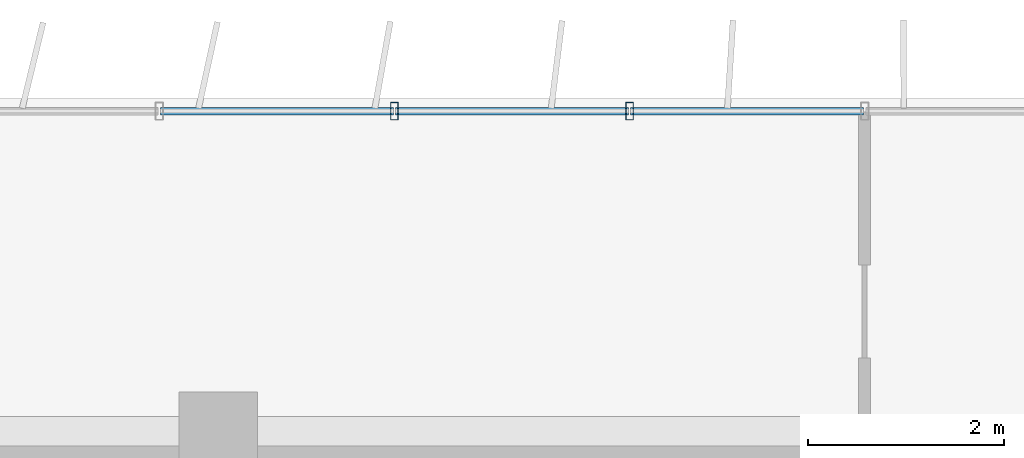
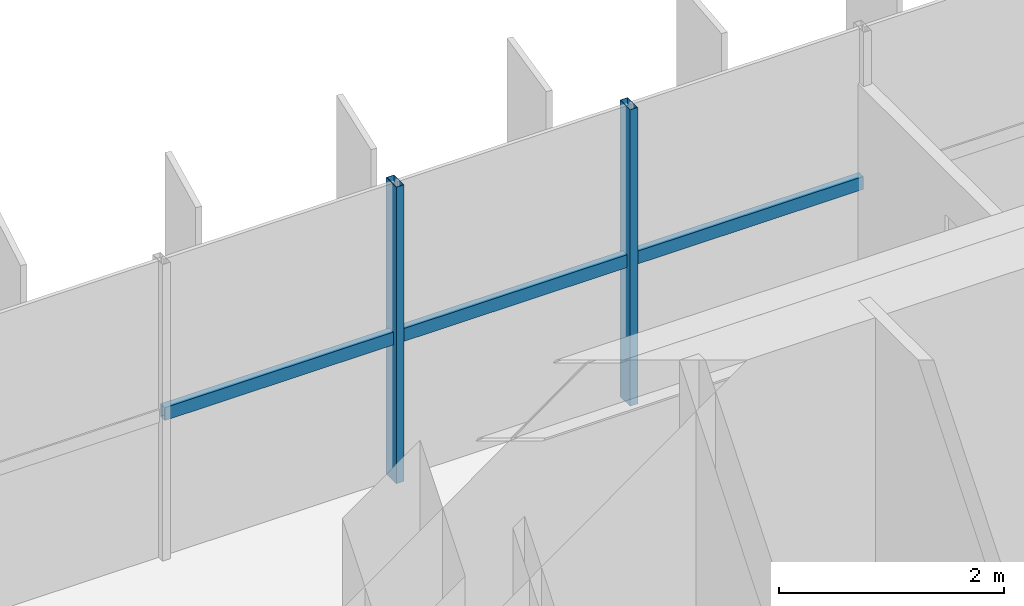
# One storey, part 11 of 26: 5 members, 1 element without a shape of its own.
"""IFC4 building model written with IfcOpenShell, lengths in metres."""

import ifcopenshell
import ifcopenshell.guid

model = None  # the IFC model being written
_history = None  # IfcOwnerHistory: only IFC2X3 demands one
_inside = {}  # id of a spatial element -> (the spatial element, [elements in it])
_under = {}  # id of a project, library or spatial element -> (it, [spatial elements below it])
_declared = {}  # id of a project -> (the project, [libraries it declares])
_typed = {}  # id of a type object -> (the type object, [elements of that type])
_made_of = {}  # id of a material, layer set ... -> (it, [elements and type objects made of it])


def new_model(schema):
    """Start an empty IFC model of exactly this schema.

    Asked for "IFC4X3", IfcOpenShell would pick the latest addendum, in which some entities
    have other attributes; the version numbers below select the first issue.
    IFC2X3 requires an IfcOwnerHistory on every rooted entity: one is made here for all.
    """
    global model, _history
    if schema == "IFC4X3":
        model = ifcopenshell.file(schema_version=(4, 3, 0, 0))
    else:
        model = ifcopenshell.file(schema=schema)
    _inside.clear()
    _under.clear()
    _declared.clear()
    _typed.clear()
    _made_of.clear()
    _history = None
    if model.schema == "IFC2X3":
        org = make("IfcOrganization", Name="unknown")
        user = make(
            "IfcPersonAndOrganization",
            ThePerson=make("IfcPerson", FamilyName="unknown"),
            TheOrganization=org,
        )
        app = make(
            "IfcApplication",
            ApplicationDeveloper=org,
            Version="unknown",
            ApplicationFullName="unknown",
            ApplicationIdentifier="unknown",
        )
        _history = make(
            "IfcOwnerHistory",
            OwningUser=user,
            OwningApplication=app,
            ChangeAction="ADDED",
            CreationDate=0,
        )
    return model


def make(cls, **values):
    """One entity of the class cls with the attributes given. An attribute that is None is left unset."""
    return model.create_entity(
        cls, **{name: value for name, value in values.items() if value is not None}
    )


def rooted(cls, **values):
    """An entity with a GlobalId (a new one), such as an element, a storey or a relation."""
    return make(cls, GlobalId=ifcopenshell.guid.new(), OwnerHistory=_history, **values)


def si_unit(unit_type, name, prefix=None):
    """IfcSIUnit, for example si_unit("LENGTHUNIT", "METRE", prefix="MILLI")."""
    return make("IfcSIUnit", UnitType=unit_type, Prefix=prefix, Name=name)


def assignment(units):
    """IfcUnitAssignment: the units of a project."""
    return None if units is None else make("IfcUnitAssignment", Units=units)


def point(xyz):
    """IfcCartesianPoint."""
    return None if xyz is None else make("IfcCartesianPoint", Coordinates=xyz)


def direction(xyz):
    """IfcDirection."""
    return None if xyz is None else make("IfcDirection", DirectionRatios=xyz)


def frame(location, z_axis=None, x_axis=None):
    """IfcAxis2Placement3D, a coordinate frame: its origin and axes. An axis left out is left unset."""
    return make(
        "IfcAxis2Placement3D",
        Location=point(location),
        Axis=direction(z_axis),
        RefDirection=direction(x_axis),
    )


def frame_2d(location, x_axis=None):
    """IfcAxis2Placement2D, a coordinate frame in the plane: its origin and x axis."""
    return make(
        "IfcAxis2Placement2D", Location=point(location), RefDirection=direction(x_axis)
    )


def origin():
    """The frame at (0, 0, 0) with its axes left unset."""
    return frame((0.0, 0.0, 0.0))


def origin_2d():
    """The frame at (0, 0) in the plane with its x axis left unset."""
    return frame_2d((0.0, 0.0))


def place(relative_to, where):
    """IfcLocalPlacement: puts the frame where relative to a parent placement (None: the world)."""
    return make(
        "IfcLocalPlacement", PlacementRelTo=relative_to, RelativePlacement=where
    )


def context(
    kind, dimensions, precision=None, world=None, true_north=None, identifier=None
):
    """IfcGeometricRepresentationContext, for example the 3D "Model" context."""
    return make(
        "IfcGeometricRepresentationContext",
        ContextIdentifier=identifier,
        ContextType=kind,
        CoordinateSpaceDimension=dimensions,
        Precision=precision,
        WorldCoordinateSystem=world,
        TrueNorth=true_north,
    )


def subcontext(parent, identifier, kind, view, scale=None):
    """IfcGeometricRepresentationSubContext, for example "Body" below "Model"."""
    return make(
        "IfcGeometricRepresentationSubContext",
        ContextIdentifier=identifier,
        ContextType=kind,
        ParentContext=parent,
        TargetScale=scale,
        TargetView=view,
    )


def project(units=None, contexts=None):
    """IfcProject with its units and contexts."""
    return rooted(
        "IfcProject",
        Name="project",
        RepresentationContexts=contexts,
        UnitsInContext=assignment(units),
    )


def spatial(cls, under=None, at=None, **own):
    """A site, building, storey or space (cls), placed at a placement, below another one or the project."""
    s = rooted(cls, ObjectPlacement=at, **own)
    if under is not None:
        _under.setdefault(under.id(), (under, []))[1].append(s)
    return s


def profile(cls, at=None, kind="AREA", **sizes):
    """A parametric profile (cls). Its sizes go by their IFC names, for example OverallWidth=200.0."""
    return make(cls, ProfileType=kind, Position=at, **sizes)


def hollow_rectangle(**sizes):
    """IfcRectangleHollowProfileDef."""
    return profile("IfcRectangleHollowProfileDef", **sizes)


def extrude(swept, where, along, depth):
    """IfcExtrudedAreaSolid: the profile swept, set in the frame where, extruded along a direction by depth."""
    return make(
        "IfcExtrudedAreaSolid",
        SweptArea=swept,
        Position=where,
        ExtrudedDirection=direction(along),
        Depth=depth,
    )


def shape(context_of_items, identifier, shape_type, items):
    """IfcShapeRepresentation: the items that make up one representation, for example the "Body"."""
    return make(
        "IfcShapeRepresentation",
        ContextOfItems=context_of_items,
        RepresentationIdentifier=identifier,
        RepresentationType=shape_type,
        Items=items,
    )


def source(mapping_origin, context_of_items, identifier, shape_type, items):
    """IfcRepresentationMap: a shape defined once, which mapped items show again and again."""
    return make(
        "IfcRepresentationMap",
        MappingOrigin=mapping_origin,
        MappedRepresentation=shape(context_of_items, identifier, shape_type, items),
    )


def transform(
    local_origin,
    x_axis=None,
    y_axis=None,
    z_axis=None,
    scale=None,
    scale2=None,
    scale3=None,
    uniform=True,
):
    """IfcCartesianTransformationOperator3D, or its non-uniform kind. x_axis, y_axis, z_axis: its Axis1, 2, 3."""
    if uniform:
        return make(
            "IfcCartesianTransformationOperator3D",
            Axis1=direction(x_axis),
            Axis2=direction(y_axis),
            LocalOrigin=point(local_origin),
            Scale=scale,
            Axis3=direction(z_axis),
        )
    return make(
        "IfcCartesianTransformationOperator3DnonUniform",
        Axis1=direction(x_axis),
        Axis2=direction(y_axis),
        LocalOrigin=point(local_origin),
        Scale=scale,
        Axis3=direction(z_axis),
        Scale2=scale2,
        Scale3=scale3,
    )


def mapped(mapping_source, mapping_target):
    """IfcMappedItem: shows the shape of a source again, moved by a transform."""
    return make(
        "IfcMappedItem", MappingSource=mapping_source, MappingTarget=mapping_target
    )


def material(Name=None, Category=None):
    """IfcMaterial."""
    return make("IfcMaterial", Name=Name, Category=Category)


def material_profile(
    of_material, cross_section, Name=None, Category=None, Priority=None
):
    """IfcMaterialProfile: a cross section and its material."""
    return make(
        "IfcMaterialProfile",
        Name=Name,
        Material=of_material,
        Profile=cross_section,
        Priority=Priority,
        Category=Category,
    )


def profile_set(profiles, Name=None, composite=None):
    """IfcMaterialProfileSet."""
    return make(
        "IfcMaterialProfileSet",
        Name=Name,
        MaterialProfiles=profiles,
        CompositeProfile=composite,
    )


def made_of(thing, what):
    """Note that an element or type object is made of a material, layer set ...; save() writes the relation."""
    if what is not None:
        _made_of.setdefault(what.id(), (what, []))[1].append(thing)
    return thing


def type_object(cls, material=None, **own):
    """A type object (cls), such as IfcWallType, which elements share."""
    return made_of(rooted(cls, **own), material)


def element(
    cls,
    number,
    at=None,
    inside=None,
    cuts=None,
    type_object=None,
    material=None,
    context=None,
    identifier="Body",
    shape_type=None,
    held_by="IfcProductDefinitionShape",
    body=None,
    shapes=None,
    **own,
):
    """One element of the class cls, such as IfcWall. Its Tag is "e" and its number.

    at: its placement. inside: the storey or other place that contains it. cuts: it is an
    opening in that element (IfcRelVoidsElement). A single representation is given by context,
    identifier, shape_type and body (its items); several are given by shapes. held_by: the class
    of the entity that holds the representations. save() writes the other relations.
    """
    e = rooted(cls, Tag="e%d" % number, ObjectPlacement=at, **own)
    if body is not None:
        shapes = [shape(context, identifier, shape_type, body)]
    if shapes is not None:
        e.Representation = make(held_by, Representations=shapes)
    if inside is not None:
        _inside.setdefault(inside.id(), (inside, []))[1].append(e)
    if cuts is not None:
        rooted(
            "IfcRelVoidsElement", RelatingBuildingElement=cuts, RelatedOpeningElement=e
        )
    if type_object is not None:
        _typed.setdefault(type_object.id(), (type_object, []))[1].append(e)
    return made_of(e, material)


def aggregate(whole, parts):
    """IfcRelAggregates: a whole, such as a stair, and the parts it consists of."""
    return rooted("IfcRelAggregates", RelatingObject=whole, RelatedObjects=parts)


def save(model, path):
    """Write the relations noted so far, then the file.

    IfcRelAggregates (storeys below a building ...), IfcRelContainedInSpatialStructure (elements
    in a storey), IfcRelDefinesByType, IfcRelAssociatesMaterial and IfcRelDeclares: one each for
    every whole, place, type object, material and project.
    """
    for whole, parts in _under.values():
        aggregate(whole, parts)
    for where, things in _inside.values():
        rooted(
            "IfcRelContainedInSpatialStructure",
            RelatedElements=things,
            RelatingStructure=where,
        )
    for kind, things in _typed.values():
        rooted("IfcRelDefinesByType", RelatedObjects=things, RelatingType=kind)
    for what, things in _made_of.values():
        rooted("IfcRelAssociatesMaterial", RelatedObjects=things, RelatingMaterial=what)
    for by, libraries in _declared.values():
        rooted("IfcRelDeclares", RelatingContext=by, RelatedDefinitions=libraries)
    model.write(path)


model = new_model("IFC4")

# Units and contexts
model_context = context("Model", 3, precision=1e-05, world=origin(), true_north=direction((0.0, 1.0)))
body_context = subcontext(model_context, "Body", "Model", "MODEL_VIEW")
ifc_project = project(units=[si_unit("LENGTHUNIT", "METRE"), si_unit("AREAUNIT", "SQUARE_METRE"), si_unit("VOLUMEUNIT", "CUBIC_METRE"), si_unit("PLANEANGLEUNIT", "RADIAN"), si_unit("MASSUNIT", "GRAM", prefix="KILO")], contexts=[model_context])

# Site, building, storey
site_placement = place(None, origin())
site = spatial("IfcSite", under=ifc_project, at=site_placement, CompositionType="ELEMENT")
building_placement = place(site_placement, origin())
building = spatial("IfcBuilding", under=site, at=building_placement, Name="Trelvane Seafront Commons", CompositionType="ELEMENT")
storey_placement = place(building_placement, frame((0.0, 0.0, 128.5)))
storey = spatial("IfcBuildingStorey", under=building, at=storey_placement, Name="L33", CompositionType="ELEMENT", Elevation=128.5)

# Curtain wall, members
ifc_material = material(Name="Anodised pale-silver aluminium", Category="aluminium")
curtain_wall_type = type_object("IfcCurtainWallType", Name="ARCH-CW4-SKYLOBBY", PredefinedType="NOTDEFINED", material=ifc_material)
curtain_wall_placement = place(storey_placement, origin())
curtain_wall = element("IfcCurtainWall", 1, at=curtain_wall_placement, inside=storey, type_object=curtain_wall_type, Name="CW-L33-0059", PredefinedType="NOTDEFINED")
ifc_material_profile_1 = material_profile(ifc_material, hollow_rectangle(XDim=0.074951171875, YDim=0.139892578125, WallThickness=0.00390625, at=origin_2d()), Name="TRAN-75x140x4")
ifc_profile_set_1 = profile_set([ifc_material_profile_1], Name="Anodised pale-silver aluminium")
member_type_1 = type_object("IfcMemberType", Name="ARCH-CW-TRAN-140", PredefinedType="USERDEFINED", material=ifc_profile_set_1)
shared_shape_1 = source(origin(), body_context, "Body", "SweptSolid", [
    extrude(hollow_rectangle(XDim=0.074951171875, YDim=0.139892578125, WallThickness=0.00390625, at=origin_2d()), origin(), (0.0, 0.0, 1.0), 2.3759765625),
])
member_1_placement = place(storey_placement, frame((30.011962890625, 48.3701171875, 1.5458984375), z_axis=(1.0, 0.0, 0.0), x_axis=(0.0, 1.0, 0.0)))
member_1 = element("IfcMember", 2, at=member_1_placement, type_object=member_type_1, Name="CW-L33-0059-T06", ObjectType="TRANSOM", PredefinedType="USERDEFINED", context=body_context, shape_type="MappedRepresentation", body=[
    mapped(shared_shape_1, transform((0.0, 0.0, 0.0), x_axis=(1.0, 0.0, 0.0), y_axis=(0.0, 1.0, 0.0), z_axis=(0.0, 0.0, 1.0), scale=1.0)),
])
member_2_placement = place(storey_placement, frame((32.412109375, 48.3701171875, 1.5458984375), z_axis=(1.0, 0.0, 0.0), x_axis=(0.0, 1.0, 0.0)))
member_2 = element("IfcMember", 3, at=member_2_placement, type_object=member_type_1, Name="CW-L33-0059-T07", ObjectType="TRANSOM", PredefinedType="USERDEFINED", context=body_context, shape_type="MappedRepresentation", body=[
    mapped(shared_shape_1, transform((0.0, 0.0, 0.0), x_axis=(1.0, 0.0, 0.0), y_axis=(0.0, 1.0, 0.0), z_axis=(0.0, 0.0, 1.0), scale=1.0)),
])
member_3_placement = place(storey_placement, frame((34.81201171875, 48.3701171875, 1.5458984375), z_axis=(1.0, 0.0, 0.0), x_axis=(0.0, 1.0, 0.0)))
member_3 = element("IfcMember", 4, at=member_3_placement, type_object=member_type_1, Name="CW-L33-0059-T08", ObjectType="TRANSOM", PredefinedType="USERDEFINED", context=body_context, shape_type="MappedRepresentation", body=[
    mapped(shared_shape_1, transform((0.0, 0.0, 0.0), x_axis=(1.0, 0.0, 0.0), y_axis=(0.0, 1.0, 0.0), z_axis=(0.0, 0.0, 1.0), scale=1.0)),
])
ifc_material_profile_2 = material_profile(ifc_material, hollow_rectangle(XDim=0.080078125, YDim=0.179931640625, WallThickness=0.00439453125, at=origin_2d()), Name="MULL-80x180x4.5")
ifc_profile_set_2 = profile_set([ifc_material_profile_2], Name="Anodised pale-silver aluminium")
member_type_2 = type_object("IfcMemberType", Name="ARCH-CW-MULL-180", PredefinedType="MULLION", material=ifc_profile_set_2)
shared_shape_2 = source(origin(), body_context, "Body", "SweptSolid", [
    extrude(hollow_rectangle(XDim=0.080078125, YDim=0.179931640625, WallThickness=0.00439453125, at=origin_2d()), origin(), (0.0, 0.0, 1.0), 3.219970703125),
])
member_4_placement = place(storey_placement, frame((32.39990234375, 48.3701171875, 0.0), z_axis=(0.0, 0.0, 1.0), x_axis=(1.0, 0.0, 0.0)))
member_4 = element("IfcMember", 5, at=member_4_placement, type_object=member_type_2, Name="CW-L33-0059-M07", PredefinedType="MULLION", context=body_context, shape_type="MappedRepresentation", body=[
    mapped(shared_shape_2, transform((0.0, 0.0, 0.0), x_axis=(1.0, 0.0, 0.0), y_axis=(0.0, 1.0, 0.0), z_axis=(0.0, 0.0, 1.0), scale=1.0)),
])
member_5_placement = place(storey_placement, frame((34.800048828125, 48.3701171875, 0.0), z_axis=(0.0, 0.0, 1.0), x_axis=(1.0, 0.0, 0.0)))
member_5 = element("IfcMember", 6, at=member_5_placement, type_object=member_type_2, Name="CW-L33-0059-M08", PredefinedType="MULLION", context=body_context, shape_type="MappedRepresentation", body=[
    mapped(shared_shape_2, transform((0.0, 0.0, 0.0), x_axis=(1.0, 0.0, 0.0), y_axis=(0.0, 1.0, 0.0), z_axis=(0.0, 0.0, 1.0), scale=1.0)),
])
aggregate(curtain_wall, [member_4, member_5, member_1, member_2, member_3])

save(model, "model.ifc")
